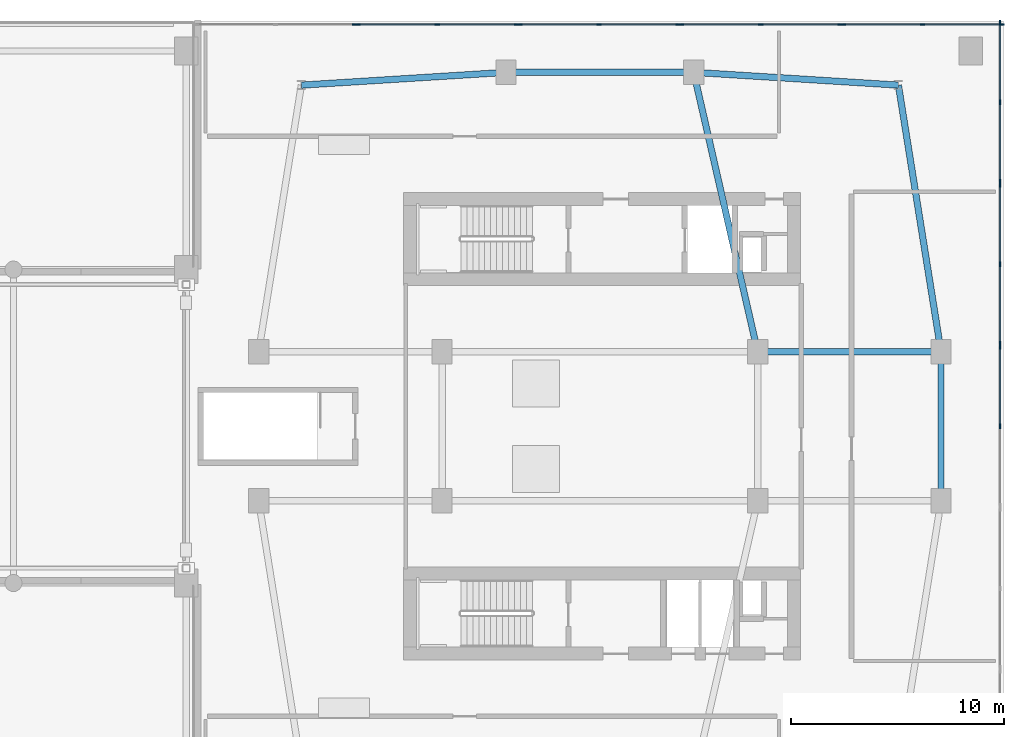
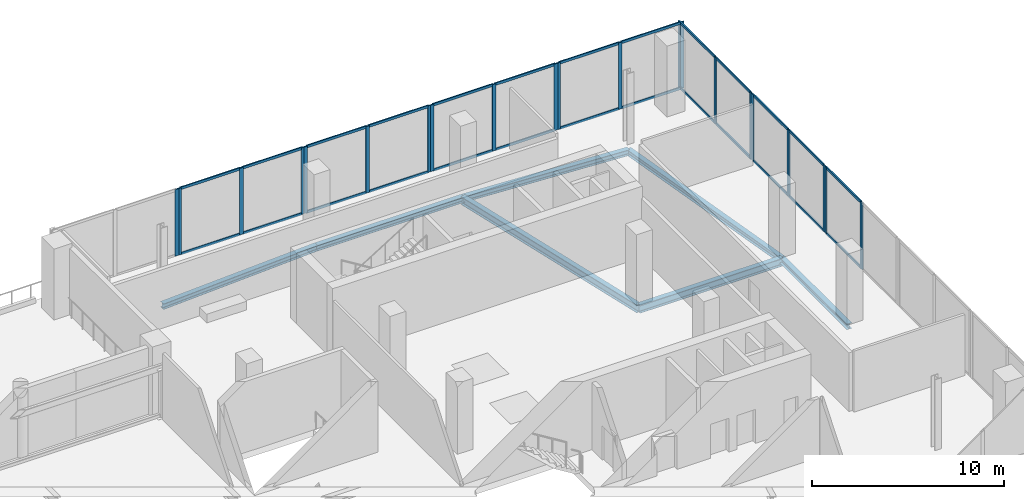
# One storey, part 11 of 21: 47 members, 7 beams, 8 elements without a shape of their own.
"""IFC4 building model written with IfcOpenShell, lengths in metres."""

from ifc_helpers import new_model, si_unit, derived_unit, direction, frame, origin, origin_2d, place, context, subcontext, project, spatial, rectangle, i_section, extrude, material, layer, layer_set, material_profile, profile_set, type_object, element, aggregate, save


model = new_model("IFC4")

# Units and contexts
model_context = context("Model", 3, precision=1e-05, world=origin(), true_north=direction((0.0, 1.0)))
body_context = subcontext(model_context, "Body", "Model", "MODEL_VIEW")
ifc_project = project(units=[si_unit("LENGTHUNIT", "METRE"), si_unit("AREAUNIT", "SQUARE_METRE"), si_unit("VOLUMEUNIT", "CUBIC_METRE"), si_unit("PLANEANGLEUNIT", "RADIAN"), si_unit("MASSUNIT", "GRAM", prefix="KILO"), derived_unit("THERMALTRANSMITTANCEUNIT", [(si_unit("POWERUNIT", "WATT"), 1), (si_unit("LENGTHUNIT", "METRE"), -2), (si_unit("THERMODYNAMICTEMPERATUREUNIT", "KELVIN"), -1)])], contexts=[model_context])

# Site, building, storey
site_placement = place(None, origin())
site = spatial("IfcSite", under=ifc_project, at=site_placement, CompositionType="ELEMENT")
building_placement = place(site_placement, origin())
building = spatial("IfcBuilding", under=site, at=building_placement, Name="Kivonza Crest Hotel", CompositionType="ELEMENT")
storey_placement = place(building_placement, frame((0.0, 0.0, 19.5)))
storey = spatial("IfcBuildingStorey", under=building, at=storey_placement, Name="L04", CompositionType="ELEMENT", Elevation=19.5)

# Beams
ifc_material_1 = material(Name="Steel S355", Category="steel")
ifc_material_profile_1 = material_profile(ifc_material_1, i_section(OverallWidth=0.300048828125, OverallDepth=0.360107421875, WebThickness=0.012451171875, FlangeThickness=0.0224609375, FilletRadius=0.027099609375, at=origin_2d()), Name="HEB 360")
ifc_profile_set_1 = profile_set([ifc_material_profile_1], Name="Steel S355")
beam_type_1 = type_object("IfcBeamType", Name="BM-HEB360", PredefinedType="SPANDREL", material=ifc_profile_set_1)
beam_1_placement = place(storey_placement, frame((93.0, 21.5, -0.580078125), z_axis=(0.0, 1.0, 0.0), x_axis=(-1.0, 0.0, 0.0)))
element("IfcBeam", 1, at=beam_1_placement, inside=storey, type_object=beam_type_1, Name="Companion Tower T2 L04 perimeter spandrel E1-E2", PredefinedType="SPANDREL", context=body_context, shape_type="SweptSolid", body=[
    extrude(i_section(OverallWidth=0.300048828125, OverallDepth=0.360107421875, WebThickness=0.012451171875, FlangeThickness=0.0224609375, FilletRadius=0.027099609375, at=origin_2d()), origin(), (0.0, 0.0, 1.0), 7.0),
])
beam_2_placement = place(storey_placement, frame((93.0, 28.5, -0.580078125), z_axis=(-0.157990501107, 0.987440631917, 0.0), x_axis=(-0.987440631917, -0.157990501107, 0.0)))
element("IfcBeam", 2, at=beam_2_placement, inside=storey, type_object=beam_type_1, Name="Companion Tower T2 L04 perimeter spandrel E2-NE", PredefinedType="SPANDREL", context=body_context, shape_type="SweptSolid", body=[
    extrude(i_section(OverallWidth=0.300048828125, OverallDepth=0.360107421875, WebThickness=0.012451171875, FlangeThickness=0.0224609375, FilletRadius=0.027099609375, at=origin_2d()), origin(), (0.0, 0.0, 1.0), 12.658935546875),
])
beam_3_placement = place(storey_placement, frame((91.0, 41.0, -0.580078125), z_axis=(-0.998051985873, 0.062387767186, 0.0), x_axis=(-0.062387767186, -0.998051985873, 0.0)))
element("IfcBeam", 3, at=beam_3_placement, inside=storey, type_object=beam_type_1, Name="Companion Tower T2 L04 perimeter spandrel NE-N2", PredefinedType="SPANDREL", context=body_context, shape_type="SweptSolid", body=[
    extrude(i_section(OverallWidth=0.300048828125, OverallDepth=0.360107421875, WebThickness=0.012451171875, FlangeThickness=0.0224609375, FilletRadius=0.027099609375, at=origin_2d()), origin(), (0.0, 0.0, 1.0), 9.618896484375),
])
beam_4_placement = place(storey_placement, frame((81.39990234375, 41.60009765625, -0.580078125), z_axis=(-1.0, 0.0, 0.0), x_axis=(0.0, -1.0, 0.0)))
element("IfcBeam", 4, at=beam_4_placement, inside=storey, type_object=beam_type_1, Name="Companion Tower T2 L04 perimeter spandrel N2-N1", PredefinedType="SPANDREL", context=body_context, shape_type="SweptSolid", body=[
    extrude(i_section(OverallWidth=0.300048828125, OverallDepth=0.360107421875, WebThickness=0.012451171875, FlangeThickness=0.0224609375, FilletRadius=0.027099609375, at=origin_2d()), origin(), (0.0, 0.0, 1.0), 8.7998046875),
])
beam_5_placement = place(storey_placement, frame((72.60009765625, 41.60009765625, -0.580078125), z_axis=(-0.998051985873, -0.062387767186, 0.0), x_axis=(0.062387767186, -0.998051985873, 0.0)))
element("IfcBeam", 5, at=beam_5_placement, inside=storey, type_object=beam_type_1, Name="Companion Tower T2 L04 perimeter spandrel N1-NW", PredefinedType="SPANDREL", context=body_context, shape_type="SweptSolid", body=[
    extrude(i_section(OverallWidth=0.300048828125, OverallDepth=0.360107421875, WebThickness=0.012451171875, FlangeThickness=0.0224609375, FilletRadius=0.027099609375, at=origin_2d()), origin(), (0.0, 0.0, 1.0), 9.618896484375),
])
ifc_material_profile_2 = material_profile(ifc_material_1, i_section(OverallWidth=0.300048828125, OverallDepth=0.5, WebThickness=0.014404296875, FlangeThickness=0.028076171875, FilletRadius=0.027099609375, at=origin_2d()), Name="HEB 500")
ifc_profile_set_2 = profile_set([ifc_material_profile_2], Name="Steel S355")
beam_type_2 = type_object("IfcBeamType", Name="BM-HEB500", PredefinedType="BEAM", material=ifc_profile_set_2)
beam_6_placement = place(storey_placement, frame((84.39990234375, 28.5, -0.64990234375), z_axis=(1.0, 0.0, 0.0), x_axis=(0.0, 1.0, 0.0)))
element("IfcBeam", 6, at=beam_6_placement, inside=storey, type_object=beam_type_2, Name="Companion Tower T2 L04 girder WR2-E2", PredefinedType="BEAM", context=body_context, shape_type="SweptSolid", body=[
    extrude(i_section(OverallWidth=0.300048828125, OverallDepth=0.5, WebThickness=0.014404296875, FlangeThickness=0.028076171875, FilletRadius=0.027099609375, at=origin_2d()), origin(), (0.0, 0.0, 1.0), 8.60009765625),
])
beam_7_placement = place(storey_placement, frame((84.39990234375, 28.5, -0.64990234375), z_axis=(-0.223227287589, 0.974766422317, 0.0), x_axis=(-0.974766422317, -0.223227287589, 0.0)))
element("IfcBeam", 7, at=beam_7_placement, inside=storey, type_object=beam_type_2, Name="Companion Tower T2 L04 girder WR2-N2", PredefinedType="BEAM", context=body_context, shape_type="SweptSolid", body=[
    extrude(i_section(OverallWidth=0.300048828125, OverallDepth=0.5, WebThickness=0.014404296875, FlangeThickness=0.028076171875, FilletRadius=0.027099609375, at=origin_2d()), origin(), (0.0, 0.0, 1.0), 13.439208984375),
])

# Curtain wall, members
ifc_material_2 = material(Name="Anodised bronze aluminium and low-E double glazing", Category="aluminium")
ifc_layer = layer(ifc_material_2, 0.199951171875)
ifc_layer_set = layer_set([ifc_layer], Name="Anodised bronze aluminium and low-E double glazing")
curtain_wall_type = type_object("IfcCurtainWallType", Name="CW-SYS-6", PredefinedType="NOTDEFINED", material=ifc_layer_set)
curtain_wall_1_placement = place(storey_placement, origin())
curtain_wall_1 = element("IfcCurtainWall", 8, at=curtain_wall_1_placement, inside=storey, type_object=curtain_wall_type, Name="L04 unitised curtain wall CW-POD-L04-18", PredefinedType="NOTDEFINED")
ifc_material_3 = material(Name="Anodised bronze aluminium", Category="aluminium")
ifc_material_profile_3 = material_profile(ifc_material_3, rectangle(XDim=0.074951171875, YDim=0.219970703125, at=origin_2d()), Name="CW-M 75x220")
ifc_profile_set_3 = profile_set([ifc_material_profile_3], Name="Anodised bronze aluminium")
member_type_1 = type_object("IfcMemberType", Name="CW-MUL-75x220", PredefinedType="MULLION", material=ifc_profile_set_3)
member_1_placement = place(storey_placement, frame((95.760009765625, 25.0, 0.0), z_axis=(0.0, 0.0, 1.0), x_axis=(-1.0, 0.0, 0.0)))
member_1 = element("IfcMember", 9, at=member_1_placement, type_object=member_type_1, Name="CW-6 mullion 2", PredefinedType="MULLION", context=body_context, shape_type="SweptSolid", body=[
    extrude(rectangle(XDim=0.074951171875, YDim=0.219970703125, at=origin_2d()), origin(), (0.0, 0.0, 1.0), 4.219970703125),
])
member_2_placement = place(storey_placement, frame((95.760009765625, 28.722412109375, 0.0), z_axis=(0.0, 0.0, 1.0), x_axis=(-1.0, 0.0, 0.0)))
member_2 = element("IfcMember", 10, at=member_2_placement, type_object=member_type_1, Name="CW-6 mullion 3", PredefinedType="MULLION", context=body_context, shape_type="SweptSolid", body=[
    extrude(rectangle(XDim=0.074951171875, YDim=0.219970703125, at=origin_2d()), origin(), (0.0, 0.0, 1.0), 4.219970703125),
])

curtain_wall_2_placement = place(storey_placement, origin())
curtain_wall_2 = element("IfcCurtainWall", 11, at=curtain_wall_2_placement, inside=storey, type_object=curtain_wall_type, Name="L04 unitised curtain wall CW-POD-L04-19", PredefinedType="NOTDEFINED")
member_3_placement = place(storey_placement, frame((95.760009765625, 28.87744140625, 0.0), z_axis=(0.0, 0.0, 1.0), x_axis=(-1.0, 0.0, 0.0)))
member_3 = element("IfcMember", 12, at=member_3_placement, type_object=member_type_1, Name="CW-6 mullion 1", PredefinedType="MULLION", context=body_context, shape_type="SweptSolid", body=[
    extrude(rectangle(XDim=0.074951171875, YDim=0.219970703125, at=origin_2d()), origin(), (0.0, 0.0, 1.0), 4.219970703125),
])
member_4_placement = place(storey_placement, frame((95.760009765625, 32.60009765625, 0.0), z_axis=(0.0, 0.0, 1.0), x_axis=(-1.0, 0.0, 0.0)))
member_4 = element("IfcMember", 13, at=member_4_placement, type_object=member_type_1, Name="CW-6 mullion 2", PredefinedType="MULLION", context=body_context, shape_type="SweptSolid", body=[
    extrude(rectangle(XDim=0.074951171875, YDim=0.219970703125, at=origin_2d()), origin(), (0.0, 0.0, 1.0), 4.219970703125),
])
member_5_placement = place(storey_placement, frame((95.760009765625, 36.322509765625, 0.0), z_axis=(0.0, 0.0, 1.0), x_axis=(-1.0, 0.0, 0.0)))
member_5 = element("IfcMember", 14, at=member_5_placement, type_object=member_type_1, Name="CW-6 mullion 3", PredefinedType="MULLION", context=body_context, shape_type="SweptSolid", body=[
    extrude(rectangle(XDim=0.074951171875, YDim=0.219970703125, at=origin_2d()), origin(), (0.0, 0.0, 1.0), 4.219970703125),
])

curtain_wall_3_placement = place(storey_placement, origin())
curtain_wall_3 = element("IfcCurtainWall", 15, at=curtain_wall_3_placement, inside=storey, type_object=curtain_wall_type, Name="L04 unitised curtain wall CW-POD-L04-20", PredefinedType="NOTDEFINED")
member_6_placement = place(storey_placement, frame((95.760009765625, 36.4775390625, 0.0), z_axis=(0.0, 0.0, 1.0), x_axis=(-1.0, 0.0, 0.0)))
member_6 = element("IfcMember", 16, at=member_6_placement, type_object=member_type_1, Name="CW-6 mullion 1", PredefinedType="MULLION", context=body_context, shape_type="SweptSolid", body=[
    extrude(rectangle(XDim=0.074951171875, YDim=0.219970703125, at=origin_2d()), origin(), (0.0, 0.0, 1.0), 4.219970703125),
])
member_7_placement = place(storey_placement, frame((95.760009765625, 40.199951171875, 0.0), z_axis=(0.0, 0.0, 1.0), x_axis=(-1.0, 0.0, 0.0)))
member_7 = element("IfcMember", 17, at=member_7_placement, type_object=member_type_1, Name="CW-6 mullion 2", PredefinedType="MULLION", context=body_context, shape_type="SweptSolid", body=[
    extrude(rectangle(XDim=0.074951171875, YDim=0.219970703125, at=origin_2d()), origin(), (0.0, 0.0, 1.0), 4.219970703125),
])
member_8_placement = place(storey_placement, frame((95.760009765625, 43.922607421875, 0.0), z_axis=(0.0, 0.0, 1.0), x_axis=(-1.0, 0.0, 0.0)))
member_8 = element("IfcMember", 18, at=member_8_placement, type_object=member_type_1, Name="CW-6 mullion 3", PredefinedType="MULLION", context=body_context, shape_type="SweptSolid", body=[
    extrude(rectangle(XDim=0.074951171875, YDim=0.219970703125, at=origin_2d()), origin(), (0.0, 0.0, 1.0), 4.219970703125),
])

curtain_wall_4_placement = place(storey_placement, origin())
curtain_wall_4 = element("IfcCurtainWall", 19, at=curtain_wall_4_placement, inside=storey, type_object=curtain_wall_type, Name="L04 unitised curtain wall CW-POD-L04-21", PredefinedType="NOTDEFINED")
member_9_placement = place(storey_placement, frame((95.842529296875, 43.840087890625, 0.0), z_axis=(0.0, 0.0, 1.0), x_axis=(0.0, -1.0, 0.0)))
member_9 = element("IfcMember", 20, at=member_9_placement, type_object=member_type_1, Name="CW-6 mullion 1", PredefinedType="MULLION", context=body_context, shape_type="SweptSolid", body=[
    extrude(rectangle(XDim=0.074951171875, YDim=0.219970703125, at=origin_2d()), origin(), (0.0, 0.0, 1.0), 4.219970703125),
])
member_10_placement = place(storey_placement, frame((92.1279296875, 43.840087890625, 0.0), z_axis=(0.0, 0.0, 1.0), x_axis=(0.0, -1.0, 0.0)))
member_10 = element("IfcMember", 21, at=member_10_placement, type_object=member_type_1, Name="CW-6 mullion 2", PredefinedType="MULLION", context=body_context, shape_type="SweptSolid", body=[
    extrude(rectangle(XDim=0.074951171875, YDim=0.219970703125, at=origin_2d()), origin(), (0.0, 0.0, 1.0), 4.219970703125),
])
member_11_placement = place(storey_placement, frame((88.41357421875, 43.840087890625, 0.0), z_axis=(0.0, 0.0, 1.0), x_axis=(0.0, -1.0, 0.0)))
member_11 = element("IfcMember", 22, at=member_11_placement, type_object=member_type_1, Name="CW-6 mullion 3", PredefinedType="MULLION", context=body_context, shape_type="SweptSolid", body=[
    extrude(rectangle(XDim=0.074951171875, YDim=0.219970703125, at=origin_2d()), origin(), (0.0, 0.0, 1.0), 4.219970703125),
])

curtain_wall_5_placement = place(storey_placement, origin())
curtain_wall_5 = element("IfcCurtainWall", 23, at=curtain_wall_5_placement, inside=storey, type_object=curtain_wall_type, Name="L04 unitised curtain wall CW-POD-L04-22", PredefinedType="NOTDEFINED")
member_12_placement = place(storey_placement, frame((88.258544921875, 43.840087890625, 0.0), z_axis=(0.0, 0.0, 1.0), x_axis=(0.0, -1.0, 0.0)))
member_12 = element("IfcMember", 24, at=member_12_placement, type_object=member_type_1, Name="CW-6 mullion 1", PredefinedType="MULLION", context=body_context, shape_type="SweptSolid", body=[
    extrude(rectangle(XDim=0.074951171875, YDim=0.219970703125, at=origin_2d()), origin(), (0.0, 0.0, 1.0), 4.219970703125),
])
member_13_placement = place(storey_placement, frame((84.5439453125, 43.840087890625, 0.0), z_axis=(0.0, 0.0, 1.0), x_axis=(0.0, -1.0, 0.0)))
member_13 = element("IfcMember", 25, at=member_13_placement, type_object=member_type_1, Name="CW-6 mullion 2", PredefinedType="MULLION", context=body_context, shape_type="SweptSolid", body=[
    extrude(rectangle(XDim=0.074951171875, YDim=0.219970703125, at=origin_2d()), origin(), (0.0, 0.0, 1.0), 4.219970703125),
])
member_14_placement = place(storey_placement, frame((80.82958984375, 43.840087890625, 0.0), z_axis=(0.0, 0.0, 1.0), x_axis=(0.0, -1.0, 0.0)))
member_14 = element("IfcMember", 26, at=member_14_placement, type_object=member_type_1, Name="CW-6 mullion 3", PredefinedType="MULLION", context=body_context, shape_type="SweptSolid", body=[
    extrude(rectangle(XDim=0.074951171875, YDim=0.219970703125, at=origin_2d()), origin(), (0.0, 0.0, 1.0), 4.219970703125),
])

curtain_wall_6_placement = place(storey_placement, origin())
curtain_wall_6 = element("IfcCurtainWall", 27, at=curtain_wall_6_placement, inside=storey, type_object=curtain_wall_type, Name="L04 unitised curtain wall CW-POD-L04-23", PredefinedType="NOTDEFINED")
member_15_placement = place(storey_placement, frame((80.674560546875, 43.840087890625, 0.0), z_axis=(0.0, 0.0, 1.0), x_axis=(0.0, -1.0, 0.0)))
member_15 = element("IfcMember", 28, at=member_15_placement, type_object=member_type_1, Name="CW-6 mullion 1", PredefinedType="MULLION", context=body_context, shape_type="SweptSolid", body=[
    extrude(rectangle(XDim=0.074951171875, YDim=0.219970703125, at=origin_2d()), origin(), (0.0, 0.0, 1.0), 4.219970703125),
])
member_16_placement = place(storey_placement, frame((76.9599609375, 43.840087890625, 0.0), z_axis=(0.0, 0.0, 1.0), x_axis=(0.0, -1.0, 0.0)))
member_16 = element("IfcMember", 29, at=member_16_placement, type_object=member_type_1, Name="CW-6 mullion 2", PredefinedType="MULLION", context=body_context, shape_type="SweptSolid", body=[
    extrude(rectangle(XDim=0.074951171875, YDim=0.219970703125, at=origin_2d()), origin(), (0.0, 0.0, 1.0), 4.219970703125),
])
member_17_placement = place(storey_placement, frame((73.24560546875, 43.840087890625, 0.0), z_axis=(0.0, 0.0, 1.0), x_axis=(0.0, -1.0, 0.0)))
member_17 = element("IfcMember", 30, at=member_17_placement, type_object=member_type_1, Name="CW-6 mullion 3", PredefinedType="MULLION", context=body_context, shape_type="SweptSolid", body=[
    extrude(rectangle(XDim=0.074951171875, YDim=0.219970703125, at=origin_2d()), origin(), (0.0, 0.0, 1.0), 4.219970703125),
])

curtain_wall_7_placement = place(storey_placement, origin())
curtain_wall_7 = element("IfcCurtainWall", 31, at=curtain_wall_7_placement, inside=storey, type_object=curtain_wall_type, Name="L04 unitised curtain wall CW-POD-L04-24", PredefinedType="NOTDEFINED")
member_18_placement = place(storey_placement, frame((73.090576171875, 43.840087890625, 0.0), z_axis=(0.0, 0.0, 1.0), x_axis=(0.0, -1.0, 0.0)))
member_18 = element("IfcMember", 32, at=member_18_placement, type_object=member_type_1, Name="CW-6 mullion 1", PredefinedType="MULLION", context=body_context, shape_type="SweptSolid", body=[
    extrude(rectangle(XDim=0.074951171875, YDim=0.219970703125, at=origin_2d()), origin(), (0.0, 0.0, 1.0), 4.219970703125),
])
member_19_placement = place(storey_placement, frame((69.3759765625, 43.840087890625, 0.0), z_axis=(0.0, 0.0, 1.0), x_axis=(0.0, -1.0, 0.0)))
member_19 = element("IfcMember", 33, at=member_19_placement, type_object=member_type_1, Name="CW-6 mullion 2", PredefinedType="MULLION", context=body_context, shape_type="SweptSolid", body=[
    extrude(rectangle(XDim=0.074951171875, YDim=0.219970703125, at=origin_2d()), origin(), (0.0, 0.0, 1.0), 4.219970703125),
])
member_20_placement = place(storey_placement, frame((65.66162109375, 43.840087890625, 0.0), z_axis=(0.0, 0.0, 1.0), x_axis=(0.0, -1.0, 0.0)))
member_20 = element("IfcMember", 34, at=member_20_placement, type_object=member_type_1, Name="CW-6 mullion 3", PredefinedType="MULLION", context=body_context, shape_type="SweptSolid", body=[
    extrude(rectangle(XDim=0.074951171875, YDim=0.219970703125, at=origin_2d()), origin(), (0.0, 0.0, 1.0), 4.219970703125),
])

# Curtain wall, member
curtain_wall_8_placement = place(storey_placement, origin())
curtain_wall_8 = element("IfcCurtainWall", 35, at=curtain_wall_8_placement, inside=storey, type_object=curtain_wall_type, Name="L04 unitised curtain wall CW-POD-L04-25", PredefinedType="NOTDEFINED")
member_21_placement = place(storey_placement, frame((65.506591796875, 43.840087890625, 0.0), z_axis=(0.0, 0.0, 1.0), x_axis=(0.0, -1.0, 0.0)))
member_21 = element("IfcMember", 36, at=member_21_placement, type_object=member_type_1, Name="CW-6 mullion 1", PredefinedType="MULLION", context=body_context, shape_type="SweptSolid", body=[
    extrude(rectangle(XDim=0.074951171875, YDim=0.219970703125, at=origin_2d()), origin(), (0.0, 0.0, 1.0), 4.219970703125),
])
aggregate(curtain_wall_8, [member_21])

# Member
ifc_material_profile_4 = material_profile(ifc_material_3, rectangle(XDim=0.074951171875, YDim=0.159912109375, at=origin_2d()), Name="CW-T 75x160")
ifc_profile_set_4 = profile_set([ifc_material_profile_4], Name="Anodised bronze aluminium")
member_type_2 = type_object("IfcMemberType", Name="CW-TRN-75x160", PredefinedType="USERDEFINED", material=ifc_profile_set_4)
member_22_placement = place(storey_placement, frame((95.760009765625, 25.03759765625, 0.03759765625), z_axis=(0.0, 1.0, 0.0), x_axis=(-1.0, 0.0, 0.0)))
member_22 = element("IfcMember", 37, at=member_22_placement, type_object=member_type_2, Name="CW-6 transom 2.1", ObjectType="TRANSOM", PredefinedType="USERDEFINED", context=body_context, shape_type="SweptSolid", body=[
    extrude(rectangle(XDim=0.074951171875, YDim=0.159912109375, at=origin_2d()), origin(), (0.0, 0.0, 1.0), 3.6474609375),
])

member_23_placement = place(storey_placement, frame((95.760009765625, 25.03759765625, 4.1826171875), z_axis=(0.0, 1.0, 0.0), x_axis=(-1.0, 0.0, 0.0)))
member_23 = element("IfcMember", 38, at=member_23_placement, type_object=member_type_2, Name="CW-6 transom 2.2", ObjectType="TRANSOM", PredefinedType="USERDEFINED", context=body_context, shape_type="SweptSolid", body=[
    extrude(rectangle(XDim=0.074951171875, YDim=0.159912109375, at=origin_2d()), origin(), (0.0, 0.0, 1.0), 3.6474609375),
])

aggregate(curtain_wall_1, [member_1, member_2, member_22, member_23])

member_24_placement = place(storey_placement, frame((95.760009765625, 28.9150390625, 0.03759765625), z_axis=(0.0, 1.0, 0.0), x_axis=(-1.0, 0.0, 0.0)))
member_24 = element("IfcMember", 39, at=member_24_placement, type_object=member_type_2, Name="CW-6 transom 1.1", ObjectType="TRANSOM", PredefinedType="USERDEFINED", context=body_context, shape_type="SweptSolid", body=[
    extrude(rectangle(XDim=0.074951171875, YDim=0.159912109375, at=origin_2d()), origin(), (0.0, 0.0, 1.0), 3.6474609375),
])

member_25_placement = place(storey_placement, frame((95.760009765625, 28.9150390625, 4.1826171875), z_axis=(0.0, 1.0, 0.0), x_axis=(-1.0, 0.0, 0.0)))
member_25 = element("IfcMember", 40, at=member_25_placement, type_object=member_type_2, Name="CW-6 transom 1.2", ObjectType="TRANSOM", PredefinedType="USERDEFINED", context=body_context, shape_type="SweptSolid", body=[
    extrude(rectangle(XDim=0.074951171875, YDim=0.159912109375, at=origin_2d()), origin(), (0.0, 0.0, 1.0), 3.6474609375),
])

member_26_placement = place(storey_placement, frame((95.760009765625, 32.637451171875, 0.03759765625), z_axis=(0.0, 1.0, 0.0), x_axis=(-1.0, 0.0, 0.0)))
member_26 = element("IfcMember", 41, at=member_26_placement, type_object=member_type_2, Name="CW-6 transom 2.1", ObjectType="TRANSOM", PredefinedType="USERDEFINED", context=body_context, shape_type="SweptSolid", body=[
    extrude(rectangle(XDim=0.074951171875, YDim=0.159912109375, at=origin_2d()), origin(), (0.0, 0.0, 1.0), 3.6474609375),
])

member_27_placement = place(storey_placement, frame((95.760009765625, 32.637451171875, 4.1826171875), z_axis=(0.0, 1.0, 0.0), x_axis=(-1.0, 0.0, 0.0)))
member_27 = element("IfcMember", 42, at=member_27_placement, type_object=member_type_2, Name="CW-6 transom 2.2", ObjectType="TRANSOM", PredefinedType="USERDEFINED", context=body_context, shape_type="SweptSolid", body=[
    extrude(rectangle(XDim=0.074951171875, YDim=0.159912109375, at=origin_2d()), origin(), (0.0, 0.0, 1.0), 3.6474609375),
])

aggregate(curtain_wall_2, [member_3, member_4, member_5, member_24, member_25, member_26, member_27])

member_28_placement = place(storey_placement, frame((95.760009765625, 36.514892578125, 0.03759765625), z_axis=(0.0, 1.0, 0.0), x_axis=(-1.0, 0.0, 0.0)))
member_28 = element("IfcMember", 43, at=member_28_placement, type_object=member_type_2, Name="CW-6 transom 1.1", ObjectType="TRANSOM", PredefinedType="USERDEFINED", context=body_context, shape_type="SweptSolid", body=[
    extrude(rectangle(XDim=0.074951171875, YDim=0.159912109375, at=origin_2d()), origin(), (0.0, 0.0, 1.0), 3.647705078125),
])

member_29_placement = place(storey_placement, frame((95.760009765625, 36.514892578125, 4.1826171875), z_axis=(0.0, 1.0, 0.0), x_axis=(-1.0, 0.0, 0.0)))
member_29 = element("IfcMember", 44, at=member_29_placement, type_object=member_type_2, Name="CW-6 transom 1.2", ObjectType="TRANSOM", PredefinedType="USERDEFINED", context=body_context, shape_type="SweptSolid", body=[
    extrude(rectangle(XDim=0.074951171875, YDim=0.159912109375, at=origin_2d()), origin(), (0.0, 0.0, 1.0), 3.647705078125),
])

member_30_placement = place(storey_placement, frame((95.760009765625, 40.237548828125, 0.03759765625), z_axis=(0.0, 1.0, 0.0), x_axis=(-1.0, 0.0, 0.0)))
member_30 = element("IfcMember", 45, at=member_30_placement, type_object=member_type_2, Name="CW-6 transom 2.1", ObjectType="TRANSOM", PredefinedType="USERDEFINED", context=body_context, shape_type="SweptSolid", body=[
    extrude(rectangle(XDim=0.074951171875, YDim=0.159912109375, at=origin_2d()), origin(), (0.0, 0.0, 1.0), 3.6474609375),
])

member_31_placement = place(storey_placement, frame((95.760009765625, 40.237548828125, 4.1826171875), z_axis=(0.0, 1.0, 0.0), x_axis=(-1.0, 0.0, 0.0)))
member_31 = element("IfcMember", 46, at=member_31_placement, type_object=member_type_2, Name="CW-6 transom 2.2", ObjectType="TRANSOM", PredefinedType="USERDEFINED", context=body_context, shape_type="SweptSolid", body=[
    extrude(rectangle(XDim=0.074951171875, YDim=0.159912109375, at=origin_2d()), origin(), (0.0, 0.0, 1.0), 3.6474609375),
])

aggregate(curtain_wall_3, [member_6, member_7, member_8, member_28, member_29, member_30, member_31])

member_32_placement = place(storey_placement, frame((95.804931640625, 43.840087890625, 0.03759765625), z_axis=(-1.0, 0.0, 0.0), x_axis=(0.0, -1.0, 0.0)))
member_32 = element("IfcMember", 47, at=member_32_placement, type_object=member_type_2, Name="CW-6 transom 1.1", ObjectType="TRANSOM", PredefinedType="USERDEFINED", context=body_context, shape_type="SweptSolid", body=[
    extrude(rectangle(XDim=0.074951171875, YDim=0.159912109375, at=origin_2d()), origin(), (0.0, 0.0, 1.0), 3.639404296875),
])

member_33_placement = place(storey_placement, frame((95.804931640625, 43.840087890625, 4.1826171875), z_axis=(-1.0, 0.0, 0.0), x_axis=(0.0, -1.0, 0.0)))
member_33 = element("IfcMember", 48, at=member_33_placement, type_object=member_type_2, Name="CW-6 transom 1.2", ObjectType="TRANSOM", PredefinedType="USERDEFINED", context=body_context, shape_type="SweptSolid", body=[
    extrude(rectangle(XDim=0.074951171875, YDim=0.159912109375, at=origin_2d()), origin(), (0.0, 0.0, 1.0), 3.639404296875),
])

member_34_placement = place(storey_placement, frame((92.090576171875, 43.840087890625, 0.03759765625), z_axis=(-1.0, 0.0, 0.0), x_axis=(0.0, -1.0, 0.0)))
member_34 = element("IfcMember", 49, at=member_34_placement, type_object=member_type_2, Name="CW-6 transom 2.1", ObjectType="TRANSOM", PredefinedType="USERDEFINED", context=body_context, shape_type="SweptSolid", body=[
    extrude(rectangle(XDim=0.074951171875, YDim=0.159912109375, at=origin_2d()), origin(), (0.0, 0.0, 1.0), 3.6396484375),
])

member_35_placement = place(storey_placement, frame((92.090576171875, 43.840087890625, 4.1826171875), z_axis=(-1.0, 0.0, 0.0), x_axis=(0.0, -1.0, 0.0)))
member_35 = element("IfcMember", 50, at=member_35_placement, type_object=member_type_2, Name="CW-6 transom 2.2", ObjectType="TRANSOM", PredefinedType="USERDEFINED", context=body_context, shape_type="SweptSolid", body=[
    extrude(rectangle(XDim=0.074951171875, YDim=0.159912109375, at=origin_2d()), origin(), (0.0, 0.0, 1.0), 3.6396484375),
])

aggregate(curtain_wall_4, [member_9, member_10, member_11, member_32, member_33, member_34, member_35])

member_36_placement = place(storey_placement, frame((88.220947265625, 43.840087890625, 0.03759765625), z_axis=(-1.0, 0.0, 0.0), x_axis=(0.0, -1.0, 0.0)))
member_36 = element("IfcMember", 51, at=member_36_placement, type_object=member_type_2, Name="CW-6 transom 1.1", ObjectType="TRANSOM", PredefinedType="USERDEFINED", context=body_context, shape_type="SweptSolid", body=[
    extrude(rectangle(XDim=0.074951171875, YDim=0.159912109375, at=origin_2d()), origin(), (0.0, 0.0, 1.0), 3.639404296875),
])

member_37_placement = place(storey_placement, frame((88.220947265625, 43.840087890625, 4.1826171875), z_axis=(-1.0, 0.0, 0.0), x_axis=(0.0, -1.0, 0.0)))
member_37 = element("IfcMember", 52, at=member_37_placement, type_object=member_type_2, Name="CW-6 transom 1.2", ObjectType="TRANSOM", PredefinedType="USERDEFINED", context=body_context, shape_type="SweptSolid", body=[
    extrude(rectangle(XDim=0.074951171875, YDim=0.159912109375, at=origin_2d()), origin(), (0.0, 0.0, 1.0), 3.639404296875),
])

member_38_placement = place(storey_placement, frame((84.506591796875, 43.840087890625, 0.03759765625), z_axis=(-1.0, 0.0, 0.0), x_axis=(0.0, -1.0, 0.0)))
member_38 = element("IfcMember", 53, at=member_38_placement, type_object=member_type_2, Name="CW-6 transom 2.1", ObjectType="TRANSOM", PredefinedType="USERDEFINED", context=body_context, shape_type="SweptSolid", body=[
    extrude(rectangle(XDim=0.074951171875, YDim=0.159912109375, at=origin_2d()), origin(), (0.0, 0.0, 1.0), 3.6396484375),
])

member_39_placement = place(storey_placement, frame((84.506591796875, 43.840087890625, 4.1826171875), z_axis=(-1.0, 0.0, 0.0), x_axis=(0.0, -1.0, 0.0)))
member_39 = element("IfcMember", 54, at=member_39_placement, type_object=member_type_2, Name="CW-6 transom 2.2", ObjectType="TRANSOM", PredefinedType="USERDEFINED", context=body_context, shape_type="SweptSolid", body=[
    extrude(rectangle(XDim=0.074951171875, YDim=0.159912109375, at=origin_2d()), origin(), (0.0, 0.0, 1.0), 3.6396484375),
])

aggregate(curtain_wall_5, [member_12, member_13, member_14, member_36, member_37, member_38, member_39])

member_40_placement = place(storey_placement, frame((80.636962890625, 43.840087890625, 0.03759765625), z_axis=(-1.0, 0.0, 0.0), x_axis=(0.0, -1.0, 0.0)))
member_40 = element("IfcMember", 55, at=member_40_placement, type_object=member_type_2, Name="CW-6 transom 1.1", ObjectType="TRANSOM", PredefinedType="USERDEFINED", context=body_context, shape_type="SweptSolid", body=[
    extrude(rectangle(XDim=0.074951171875, YDim=0.159912109375, at=origin_2d()), origin(), (0.0, 0.0, 1.0), 3.639404296875),
])

member_41_placement = place(storey_placement, frame((80.636962890625, 43.840087890625, 4.1826171875), z_axis=(-1.0, 0.0, 0.0), x_axis=(0.0, -1.0, 0.0)))
member_41 = element("IfcMember", 56, at=member_41_placement, type_object=member_type_2, Name="CW-6 transom 1.2", ObjectType="TRANSOM", PredefinedType="USERDEFINED", context=body_context, shape_type="SweptSolid", body=[
    extrude(rectangle(XDim=0.074951171875, YDim=0.159912109375, at=origin_2d()), origin(), (0.0, 0.0, 1.0), 3.639404296875),
])

member_42_placement = place(storey_placement, frame((76.922607421875, 43.840087890625, 0.03759765625), z_axis=(-1.0, 0.0, 0.0), x_axis=(0.0, -1.0, 0.0)))
member_42 = element("IfcMember", 57, at=member_42_placement, type_object=member_type_2, Name="CW-6 transom 2.1", ObjectType="TRANSOM", PredefinedType="USERDEFINED", context=body_context, shape_type="SweptSolid", body=[
    extrude(rectangle(XDim=0.074951171875, YDim=0.159912109375, at=origin_2d()), origin(), (0.0, 0.0, 1.0), 3.6396484375),
])

member_43_placement = place(storey_placement, frame((76.922607421875, 43.840087890625, 4.1826171875), z_axis=(-1.0, 0.0, 0.0), x_axis=(0.0, -1.0, 0.0)))
member_43 = element("IfcMember", 58, at=member_43_placement, type_object=member_type_2, Name="CW-6 transom 2.2", ObjectType="TRANSOM", PredefinedType="USERDEFINED", context=body_context, shape_type="SweptSolid", body=[
    extrude(rectangle(XDim=0.074951171875, YDim=0.159912109375, at=origin_2d()), origin(), (0.0, 0.0, 1.0), 3.6396484375),
])

aggregate(curtain_wall_6, [member_15, member_16, member_17, member_40, member_41, member_42, member_43])

member_44_placement = place(storey_placement, frame((73.052978515625, 43.840087890625, 0.03759765625), z_axis=(-1.0, 0.0, 0.0), x_axis=(0.0, -1.0, 0.0)))
member_44 = element("IfcMember", 59, at=member_44_placement, type_object=member_type_2, Name="CW-6 transom 1.1", ObjectType="TRANSOM", PredefinedType="USERDEFINED", context=body_context, shape_type="SweptSolid", body=[
    extrude(rectangle(XDim=0.074951171875, YDim=0.159912109375, at=origin_2d()), origin(), (0.0, 0.0, 1.0), 3.639404296875),
])

member_45_placement = place(storey_placement, frame((73.052978515625, 43.840087890625, 4.1826171875), z_axis=(-1.0, 0.0, 0.0), x_axis=(0.0, -1.0, 0.0)))
member_45 = element("IfcMember", 60, at=member_45_placement, type_object=member_type_2, Name="CW-6 transom 1.2", ObjectType="TRANSOM", PredefinedType="USERDEFINED", context=body_context, shape_type="SweptSolid", body=[
    extrude(rectangle(XDim=0.074951171875, YDim=0.159912109375, at=origin_2d()), origin(), (0.0, 0.0, 1.0), 3.639404296875),
])

member_46_placement = place(storey_placement, frame((69.33837890625, 43.840087890625, 0.03759765625), z_axis=(-1.0, 0.0, 0.0), x_axis=(0.0, -1.0, 0.0)))
member_46 = element("IfcMember", 61, at=member_46_placement, type_object=member_type_2, Name="CW-6 transom 2.1", ObjectType="TRANSOM", PredefinedType="USERDEFINED", context=body_context, shape_type="SweptSolid", body=[
    extrude(rectangle(XDim=0.074951171875, YDim=0.159912109375, at=origin_2d()), origin(), (0.0, 0.0, 1.0), 3.639404296875),
])

member_47_placement = place(storey_placement, frame((69.33837890625, 43.840087890625, 4.1826171875), z_axis=(-1.0, 0.0, 0.0), x_axis=(0.0, -1.0, 0.0)))
member_47 = element("IfcMember", 62, at=member_47_placement, type_object=member_type_2, Name="CW-6 transom 2.2", ObjectType="TRANSOM", PredefinedType="USERDEFINED", context=body_context, shape_type="SweptSolid", body=[
    extrude(rectangle(XDim=0.074951171875, YDim=0.159912109375, at=origin_2d()), origin(), (0.0, 0.0, 1.0), 3.639404296875),
])

aggregate(curtain_wall_7, [member_18, member_19, member_20, member_44, member_45, member_46, member_47])

save(model, "model.ifc")
